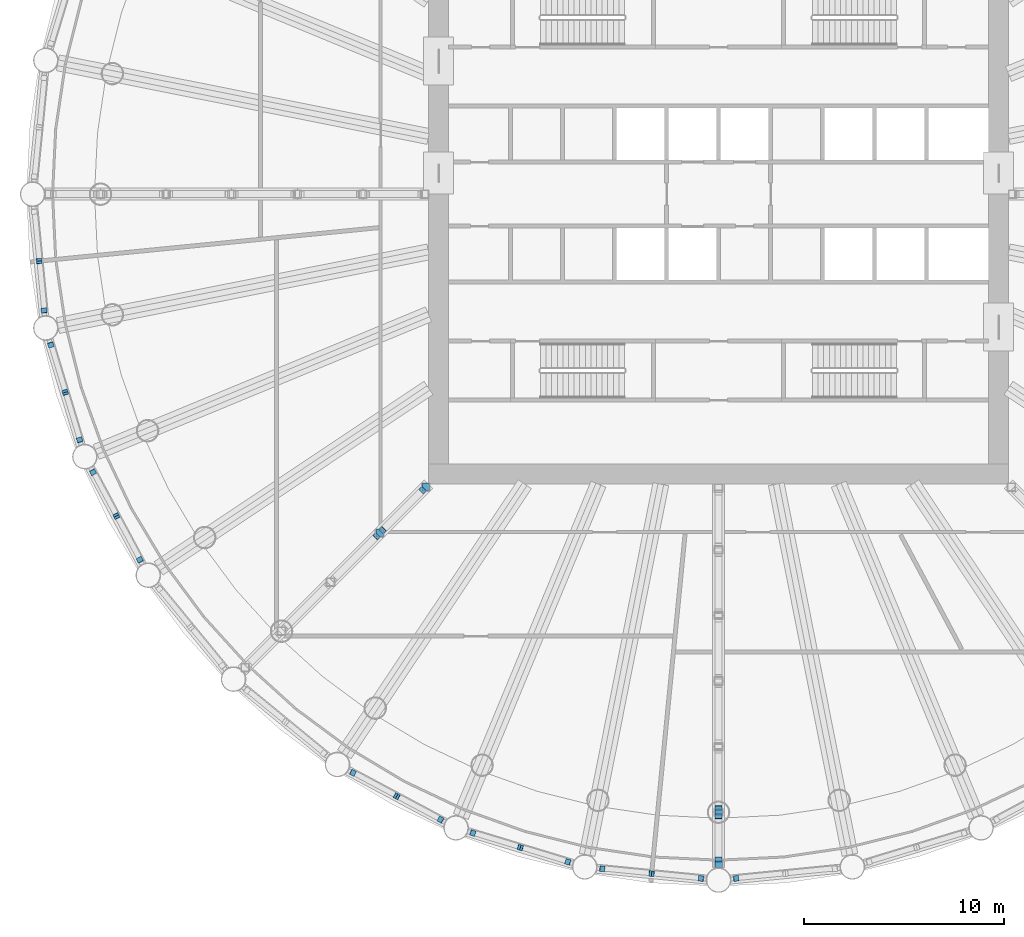
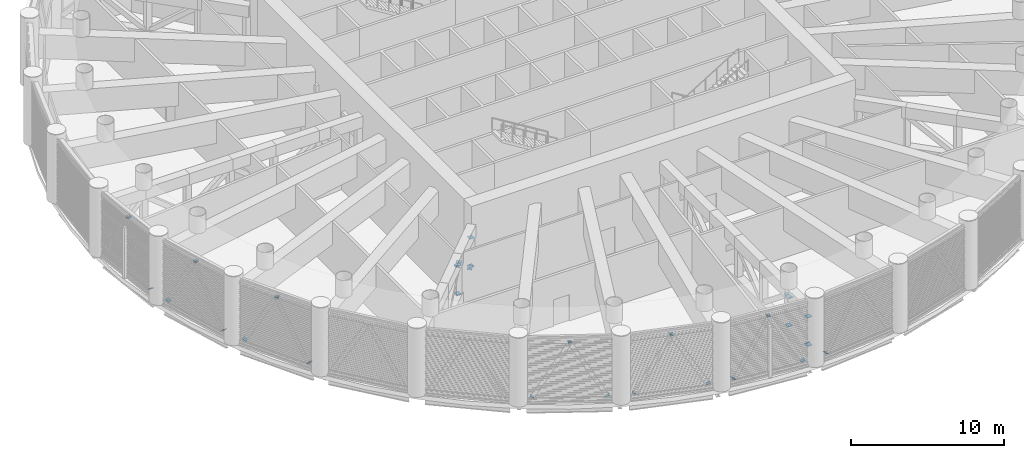
# One storey, part 16 of 29: 38 discrete accessories.
"""IFC4 building model written with IfcOpenShell, lengths in metres."""

from ifc_helpers import new_model, si_unit, direction, frame, origin, origin_2d, place, context, subcontext, project, spatial, rectangle, extrude, material, material_profile, profile_set, type_object, element, save


model = new_model("IFC4")

# Units and contexts
model_context = context("Model", 3, precision=1e-05, world=origin(), true_north=direction((0.0, 1.0)))
body_context = subcontext(model_context, "Body", "Model", "MODEL_VIEW")
ifc_project = project(units=[si_unit("LENGTHUNIT", "METRE"), si_unit("AREAUNIT", "SQUARE_METRE"), si_unit("VOLUMEUNIT", "CUBIC_METRE"), si_unit("PLANEANGLEUNIT", "RADIAN"), si_unit("MASSUNIT", "GRAM", prefix="KILO")], contexts=[model_context])

# Site, building, storey
site_placement = place(None, origin())
site = spatial("IfcSite", under=ifc_project, at=site_placement, CompositionType="ELEMENT")
building_placement = place(site_placement, origin())
building = spatial("IfcBuilding", under=site, at=building_placement, Name="Corvane Civic Tower", CompositionType="ELEMENT")
storey_placement = place(building_placement, frame((0.0, 0.0, 138.5)))
storey = spatial("IfcBuildingStorey", under=building, at=storey_placement, Name="L32", CompositionType="ELEMENT", Elevation=138.5)

# Discrete accessories
ifc_material_1 = material(Name="Steel ASTM A572 Gr 50", Category="steel")
ifc_material_profile_1 = material_profile(ifc_material_1, rectangle(XDim=0.2802734375, YDim=0.2802734375, at=origin_2d()), Name="GUSSET PLATE 25 IN HSS12X12X1/2")
ifc_profile_set_1 = profile_set([ifc_material_profile_1], Name="Steel ASTM A572 Gr 50")
discrete_accessory_type_1 = type_object("IfcDiscreteAccessoryType", Name="GUSSET PLATE 25 IN HSS12X12X1/2", PredefinedType="BRACKET", material=ifc_profile_set_1)
for number, where, z_axis, x_axis, name in (
    (1, (0.870849609375, -34.21435546875, 0.406494140625), (0.493407705348, 0.049340770535, 0.868397561412), (-0.099503719021, 0.99503719021, 0.0), "Gusset plate BD1 end A"),
    (2, (-0.870849609375, -34.21435546875, 0.406494140625), (-0.493407705348, 0.049340770535, 0.868397561412), (-0.099503719021, -0.99503719021, 0.0), "Gusset plate BD1 end A"),
):
    element("IfcDiscreteAccessory", number, at=place(storey_placement, frame(where, z_axis=z_axis, x_axis=x_axis)), inside=storey, type_object=discrete_accessory_type_1, Name=name, PredefinedType="BRACKET", context=body_context, shape_type="SweptSolid", body=[
        extrude(rectangle(XDim=0.2802734375, YDim=0.2802734375, at=origin_2d()), origin(), (0.0, 0.0, 1.0), 0.024658203125),
    ])
discrete_accessory_1_placement = place(storey_placement, frame((-3.345947265625, -33.970458984375, 4.74365234375), z_axis=(0.496598842672, -0.048686161046, -0.866613666624), x_axis=(0.097571424031, 0.99522852512, 0.0)))
element("IfcDiscreteAccessory", 3, at=discrete_accessory_1_placement, inside=storey, type_object=discrete_accessory_type_1, Name="Gusset plate BD1 end B", PredefinedType="BRACKET", context=body_context, shape_type="SweptSolid", body=[
    extrude(rectangle(XDim=0.2802734375, YDim=0.2802734375, at=origin_2d()), origin(), (0.0, 0.0, 1.0), 0.025146484375),
])
discrete_accessory_2_placement = place(storey_placement, frame((-5.82080078125, -33.7265625, 0.406494140625), z_axis=(0.493407705348, -0.049340770535, 0.868397561412), x_axis=(0.099503719021, 0.99503719021, 0.0)))
element("IfcDiscreteAccessory", 4, at=discrete_accessory_2_placement, inside=storey, type_object=discrete_accessory_type_1, Name="Gusset plate BD1 end A", PredefinedType="BRACKET", context=body_context, shape_type="SweptSolid", body=[
    extrude(rectangle(XDim=0.2802734375, YDim=0.2802734375, at=origin_2d()), origin(), (0.0, 0.0, 1.0), 0.024658203125),
])
discrete_accessory_3_placement = place(storey_placement, frame((-3.345947265625, -33.970458984375, 4.74365234375), z_axis=(-0.489209625642, 0.048920962564, -0.870793133643), x_axis=(-0.099503719021, -0.99503719021, 0.0)))
element("IfcDiscreteAccessory", 5, at=discrete_accessory_3_placement, inside=storey, type_object=discrete_accessory_type_1, Name="Gusset plate BD1 end B", PredefinedType="BRACKET", context=body_context, shape_type="SweptSolid", body=[
    extrude(rectangle(XDim=0.2802734375, YDim=0.2802734375, at=origin_2d()), origin(), (0.0, 0.0, 1.0), 0.02490234375),
])
discrete_accessory_4_placement = place(storey_placement, frame((-7.529052734375, -33.386962890625, 0.406494140625), z_axis=(-0.473579171394, 0.147993491061, 0.868228480888), x_axis=(-0.298274993136, -0.954479978035, 0.0)))
element("IfcDiscreteAccessory", 6, at=discrete_accessory_4_placement, inside=storey, type_object=discrete_accessory_type_1, Name="Gusset plate BD1 end A", PredefinedType="BRACKET", context=body_context, shape_type="SweptSolid", body=[
    extrude(rectangle(XDim=0.2802734375, YDim=0.2802734375, at=origin_2d()), origin(), (0.0, 0.0, 1.0), 0.024658203125),
])
discrete_accessory_5_placement = place(storey_placement, frame((-9.90869140625, -32.6650390625, 4.74365234375), z_axis=(0.470204238302, -0.137142902838, -0.871837025185), x_axis=(0.28, 0.96, 0.0)))
element("IfcDiscreteAccessory", 7, at=discrete_accessory_5_placement, inside=storey, type_object=discrete_accessory_type_1, Name="Gusset plate BD1 end B", PredefinedType="BRACKET", context=body_context, shape_type="SweptSolid", body=[
    extrude(rectangle(XDim=0.2802734375, YDim=0.2802734375, at=origin_2d()), origin(), (0.0, 0.0, 1.0), 0.02490234375),
])
discrete_accessory_6_placement = place(storey_placement, frame((-12.28857421875, -31.94287109375, 0.406494140625), z_axis=(0.473579171394, -0.147993491061, 0.868228480888), x_axis=(0.298274993136, 0.954479978035, 0.0)))
element("IfcDiscreteAccessory", 8, at=discrete_accessory_6_placement, inside=storey, type_object=discrete_accessory_type_1, Name="Gusset plate BD1 end A", PredefinedType="BRACKET", context=body_context, shape_type="SweptSolid", body=[
    extrude(rectangle(XDim=0.2802734375, YDim=0.2802734375, at=origin_2d()), origin(), (0.0, 0.0, 1.0), 0.024658203125),
])
discrete_accessory_7_placement = place(storey_placement, frame((-9.90869140625, -32.6650390625, 4.74365234375), z_axis=(-0.477124378254, 0.146058483139, -0.866613666624), x_axis=(-0.292714272094, -0.956199955507, 0.0)))
element("IfcDiscreteAccessory", 9, at=discrete_accessory_7_placement, inside=storey, type_object=discrete_accessory_type_1, Name="Gusset plate BD1 end B", PredefinedType="BRACKET", context=body_context, shape_type="SweptSolid", body=[
    extrude(rectangle(XDim=0.2802734375, YDim=0.2802734375, at=origin_2d()), origin(), (0.0, 0.0, 1.0), 0.025146484375),
])
discrete_accessory_8_placement = place(storey_placement, frame((-13.897705078125, -31.276611328125, 0.406494140625), z_axis=(-0.442432749188, 0.2359641329, 0.865201820635), x_axis=(-0.470588235294, -0.882352941176, 0.0)))
element("IfcDiscreteAccessory", 10, at=discrete_accessory_8_placement, inside=storey, type_object=discrete_accessory_type_1, Name="Gusset plate BD1 end A", PredefinedType="BRACKET", context=body_context, shape_type="SweptSolid", body=[
    extrude(rectangle(XDim=0.2802734375, YDim=0.2802734375, at=origin_2d()), origin(), (0.0, 0.0, 1.0), 0.02490234375),
])
discrete_accessory_9_placement = place(storey_placement, frame((-16.091064453125, -30.104248046875, 4.74365234375), z_axis=(0.438695687352, -0.233971033255, -0.867642581652), x_axis=(0.470588235294, 0.882352941176, 0.0)))
element("IfcDiscreteAccessory", 11, at=discrete_accessory_9_placement, inside=storey, type_object=discrete_accessory_type_1, Name="Gusset plate BD1 end B", PredefinedType="BRACKET", context=body_context, shape_type="SweptSolid", body=[
    extrude(rectangle(XDim=0.2802734375, YDim=0.2802734375, at=origin_2d()), origin(), (0.0, 0.0, 1.0), 0.025146484375),
])
discrete_accessory_10_placement = place(storey_placement, frame((-18.284423828125, -28.931640625, 0.406494140625), z_axis=(0.442432749188, -0.2359641329, 0.865201820635), x_axis=(0.470588235294, 0.882352941176, 0.0)))
element("IfcDiscreteAccessory", 12, at=discrete_accessory_10_placement, inside=storey, type_object=discrete_accessory_type_1, Name="Gusset plate BD1 end A", PredefinedType="BRACKET", context=body_context, shape_type="SweptSolid", body=[
    extrude(rectangle(XDim=0.2802734375, YDim=0.2802734375, at=origin_2d()), origin(), (0.0, 0.0, 1.0), 0.02490234375),
])
discrete_accessory_11_placement = place(storey_placement, frame((-16.091064453125, -30.104248046875, 4.74365234375), z_axis=(-0.438695687352, 0.233971033255, -0.867642581652), x_axis=(-0.470588235294, -0.882352941176, 0.0)))
element("IfcDiscreteAccessory", 13, at=discrete_accessory_11_placement, inside=storey, type_object=discrete_accessory_type_1, Name="Gusset plate BD1 end B", PredefinedType="BRACKET", context=body_context, shape_type="SweptSolid", body=[
    extrude(rectangle(XDim=0.2802734375, YDim=0.2802734375, at=origin_2d()), origin(), (0.0, 0.0, 1.0), 0.025146484375),
])
discrete_accessory_12_placement = place(storey_placement, frame((-28.931640625, -18.284423828125, 0.406494140625), z_axis=(-0.2359641329, 0.442432749188, 0.865201820635), x_axis=(-0.882352941176, -0.470588235294, 0.0)))
element("IfcDiscreteAccessory", 14, at=discrete_accessory_12_placement, inside=storey, type_object=discrete_accessory_type_1, Name="Gusset plate BD1 end A", PredefinedType="BRACKET", context=body_context, shape_type="SweptSolid", body=[
    extrude(rectangle(XDim=0.2802734375, YDim=0.2802734375, at=origin_2d()), origin(), (0.0, 0.0, 1.0), 0.02490234375),
])
discrete_accessory_13_placement = place(storey_placement, frame((-30.104248046875, -16.091064453125, 4.74365234375), z_axis=(0.233971033255, -0.438695687352, -0.867642581652), x_axis=(0.882352941176, 0.470588235294, 0.0)))
element("IfcDiscreteAccessory", 15, at=discrete_accessory_13_placement, inside=storey, type_object=discrete_accessory_type_1, Name="Gusset plate BD1 end B", PredefinedType="BRACKET", context=body_context, shape_type="SweptSolid", body=[
    extrude(rectangle(XDim=0.2802734375, YDim=0.2802734375, at=origin_2d()), origin(), (0.0, 0.0, 1.0), 0.025146484375),
])
discrete_accessory_14_placement = place(storey_placement, frame((-31.276611328125, -13.897705078125, 0.406494140625), z_axis=(0.2359641329, -0.442432749188, 0.865201820635), x_axis=(0.882352941176, 0.470588235294, 0.0)))
element("IfcDiscreteAccessory", 16, at=discrete_accessory_14_placement, inside=storey, type_object=discrete_accessory_type_1, Name="Gusset plate BD1 end A", PredefinedType="BRACKET", context=body_context, shape_type="SweptSolid", body=[
    extrude(rectangle(XDim=0.2802734375, YDim=0.2802734375, at=origin_2d()), origin(), (0.0, 0.0, 1.0), 0.02490234375),
])
discrete_accessory_15_placement = place(storey_placement, frame((-30.104248046875, -16.091064453125, 4.74365234375), z_axis=(-0.233971033255, 0.438695687352, -0.867642581652), x_axis=(-0.882352941176, -0.470588235294, 0.0)))
element("IfcDiscreteAccessory", 17, at=discrete_accessory_15_placement, inside=storey, type_object=discrete_accessory_type_1, Name="Gusset plate BD1 end B", PredefinedType="BRACKET", context=body_context, shape_type="SweptSolid", body=[
    extrude(rectangle(XDim=0.2802734375, YDim=0.2802734375, at=origin_2d()), origin(), (0.0, 0.0, 1.0), 0.025146484375),
])
discrete_accessory_16_placement = place(storey_placement, frame((-31.94287109375, -12.28857421875, 0.406494140625), z_axis=(-0.147993491061, 0.473579171394, 0.868228480888), x_axis=(-0.954479978035, -0.298274993136, 0.0)))
element("IfcDiscreteAccessory", 18, at=discrete_accessory_16_placement, inside=storey, type_object=discrete_accessory_type_1, Name="Gusset plate BD1 end A", PredefinedType="BRACKET", context=body_context, shape_type="SweptSolid", body=[
    extrude(rectangle(XDim=0.2802734375, YDim=0.2802734375, at=origin_2d()), origin(), (0.0, 0.0, 1.0), 0.024658203125),
])
discrete_accessory_17_placement = place(storey_placement, frame((-32.6650390625, -9.90869140625, 4.74365234375), z_axis=(0.146058483139, -0.477124378254, -0.866613666624), x_axis=(0.956199955507, 0.292714272094, 0.0)))
element("IfcDiscreteAccessory", 19, at=discrete_accessory_17_placement, inside=storey, type_object=discrete_accessory_type_1, Name="Gusset plate BD1 end B", PredefinedType="BRACKET", context=body_context, shape_type="SweptSolid", body=[
    extrude(rectangle(XDim=0.2802734375, YDim=0.2802734375, at=origin_2d()), origin(), (0.0, 0.0, 1.0), 0.025146484375),
])
discrete_accessory_18_placement = place(storey_placement, frame((-33.386962890625, -7.529052734375, 0.406494140625), z_axis=(0.147993491061, -0.473579171394, 0.868228480888), x_axis=(0.954479978035, 0.298274993136, 0.0)))
element("IfcDiscreteAccessory", 20, at=discrete_accessory_18_placement, inside=storey, type_object=discrete_accessory_type_1, Name="Gusset plate BD1 end A", PredefinedType="BRACKET", context=body_context, shape_type="SweptSolid", body=[
    extrude(rectangle(XDim=0.2802734375, YDim=0.2802734375, at=origin_2d()), origin(), (0.0, 0.0, 1.0), 0.024658203125),
])
discrete_accessory_19_placement = place(storey_placement, frame((-32.6650390625, -9.90869140625, 4.74365234375), z_axis=(-0.137142902838, 0.470204238302, -0.871837025185), x_axis=(-0.96, -0.28, 0.0)))
element("IfcDiscreteAccessory", 21, at=discrete_accessory_19_placement, inside=storey, type_object=discrete_accessory_type_1, Name="Gusset plate BD1 end B", PredefinedType="BRACKET", context=body_context, shape_type="SweptSolid", body=[
    extrude(rectangle(XDim=0.2802734375, YDim=0.2802734375, at=origin_2d()), origin(), (0.0, 0.0, 1.0), 0.02490234375),
])
discrete_accessory_20_placement = place(storey_placement, frame((-33.7265625, -5.82080078125, 0.406494140625), z_axis=(-0.049340770535, 0.493407705348, 0.868397561412), x_axis=(-0.99503719021, -0.099503719021, 0.0)))
element("IfcDiscreteAccessory", 22, at=discrete_accessory_20_placement, inside=storey, type_object=discrete_accessory_type_1, Name="Gusset plate BD1 end A", PredefinedType="BRACKET", context=body_context, shape_type="SweptSolid", body=[
    extrude(rectangle(XDim=0.2802734375, YDim=0.2802734375, at=origin_2d()), origin(), (0.0, 0.0, 1.0), 0.024658203125),
])
discrete_accessory_21_placement = place(storey_placement, frame((-33.970458984375, -3.345947265625, 4.74365234375), z_axis=(0.048920962564, -0.489209625642, -0.870793133643), x_axis=(0.99503719021, 0.099503719021, 0.0)))
element("IfcDiscreteAccessory", 23, at=discrete_accessory_21_placement, inside=storey, type_object=discrete_accessory_type_1, Name="Gusset plate BD1 end B", PredefinedType="BRACKET", context=body_context, shape_type="SweptSolid", body=[
    extrude(rectangle(XDim=0.2802734375, YDim=0.2802734375, at=origin_2d()), origin(), (0.0, 0.0, 1.0), 0.02490234375),
])
discrete_accessory_22_placement = place(storey_placement, frame((-33.970458984375, -3.345947265625, 4.74365234375), z_axis=(-0.048686161046, 0.496598842672, -0.866613666624), x_axis=(-0.99522852512, -0.097571424031, 0.0)))
element("IfcDiscreteAccessory", 24, at=discrete_accessory_22_placement, inside=storey, type_object=discrete_accessory_type_1, Name="Gusset plate BD1 end B", PredefinedType="BRACKET", context=body_context, shape_type="SweptSolid", body=[
    extrude(rectangle(XDim=0.2802734375, YDim=0.2802734375, at=origin_2d()), origin(), (0.0, 0.0, 1.0), 0.025146484375),
])
ifc_material_2 = material(Name="Steel ASTM A572 Gr 50", Category="steel")
ifc_material_profile_2 = material_profile(ifc_material_2, rectangle(XDim=0.3310546875, YDim=0.3310546875, at=origin_2d()), Name="GUSSET PLATE 25 IN HSS14X14X1/2")
ifc_profile_set_2 = profile_set([ifc_material_profile_2], Name="Steel ASTM A572 Gr 50")
discrete_accessory_type_2 = type_object("IfcDiscreteAccessoryType", Name="GUSSET PLATE 25 IN HSS14X14X1/2", PredefinedType="BRACKET", material=ifc_profile_set_2)
for number, where, z_axis, x_axis, name in (
    (25, (0.0, -30.69677734375, 3.199951171875), (0.0, 0.780868809443, -0.624695047554), (-1.0, 0.0, 0.0), "Gusset plate OD1 end B"),
    (26, (0.0, -31.103271484375, 3.199951171875), (0.0, -0.687199853876, -0.726468416955), (1.0, 0.0, 0.0), "Gusset plate OD1 end A"),
):
    element("IfcDiscreteAccessory", number, at=place(storey_placement, frame(where, z_axis=z_axis, x_axis=x_axis)), inside=storey, type_object=discrete_accessory_type_2, Name=name, PredefinedType="BRACKET", context=body_context, shape_type="SweptSolid", body=[
        extrude(rectangle(XDim=0.3310546875, YDim=0.3310546875, at=origin_2d()), origin(), (0.0, 0.0, 1.0), 0.02490234375),
    ])
discrete_accessory_23_placement = place(storey_placement, frame((0.0, -33.2685546875, 0.89990234375), z_axis=(0.0, 0.68231825036, 0.731055268243), x_axis=(-1.0, 0.0, 0.0)))
element("IfcDiscreteAccessory", 27, at=discrete_accessory_23_placement, inside=storey, type_object=discrete_accessory_type_2, Name="Gusset plate OD1 end B", PredefinedType="BRACKET", context=body_context, shape_type="SweptSolid", body=[
    extrude(rectangle(XDim=0.3310546875, YDim=0.3310546875, at=origin_2d()), origin(), (0.0, 0.0, 1.0), 0.025146484375),
])
for number, where, z_axis, x_axis, name in (
    (28, (-14.787353515625, -14.787353515625, 0.89990234375), (-0.546582129591, -0.546582129591, 0.634425686132), (0.707106781187, -0.707106781187, 0.0), "Gusset plate OD1 end A"),
    (29, (-16.80615234375, -16.80615234375, 3.199951171875), (0.549971940923, 0.549971940923, -0.628539361055), (-0.707106781187, 0.707106781187, 0.0), "Gusset plate OD1 end B"),
    (30, (-17.093505859375, -17.093505859375, 3.199951171875), (-0.567401695188, -0.567401695188, -0.596750058732), (0.707106781187, -0.707106781187, 0.0), "Gusset plate OD1 end A"),
):
    element("IfcDiscreteAccessory", number, at=place(storey_placement, frame(where, z_axis=z_axis, x_axis=x_axis)), inside=storey, type_object=discrete_accessory_type_2, Name=name, PredefinedType="BRACKET", context=body_context, shape_type="SweptSolid", body=[
        extrude(rectangle(XDim=0.3310546875, YDim=0.3310546875, at=origin_2d()), origin(), (0.0, 0.0, 1.0), 0.02490234375),
    ])
ifc_material_3 = material(Name="Steel ASTM A572 Gr 50", Category="steel")
ifc_material_profile_3 = material_profile(ifc_material_3, rectangle(XDim=0.3759765625, YDim=0.3759765625, at=origin_2d()), Name="GUSSET PLATE 25 IN HSS16X16X5/8")
ifc_profile_set_3 = profile_set([ifc_material_profile_3], Name="Steel ASTM A572 Gr 50")
discrete_accessory_type_3 = type_object("IfcDiscreteAccessoryType", Name="GUSSET PLATE 25 IN HSS16X16X5/8", PredefinedType="BRACKET", material=ifc_profile_set_3)
discrete_accessory_24_placement = place(storey_placement, frame((0.0, -30.89990234375, 0.89990234375), z_axis=(0.0, 0.0, 1.0), x_axis=(1.0, 0.0, 0.0)))
element("IfcDiscreteAccessory", 31, at=discrete_accessory_24_placement, inside=storey, type_object=discrete_accessory_type_3, Name="Gusset plate OP1 end A", PredefinedType="BRACKET", context=body_context, shape_type="SweptSolid", body=[
    extrude(rectangle(XDim=0.3759765625, YDim=0.3759765625, at=origin_2d()), origin(), (0.0, 0.0, 1.0), 0.025146484375),
])
discrete_accessory_25_placement = place(storey_placement, frame((0.0, -30.89990234375, 3.199951171875), z_axis=(0.0, 0.0, -1.0), x_axis=(1.0, 0.0, 0.0)))
element("IfcDiscreteAccessory", 32, at=discrete_accessory_25_placement, inside=storey, type_object=discrete_accessory_type_3, Name="Gusset plate OP1 end B", PredefinedType="BRACKET", context=body_context, shape_type="SweptSolid", body=[
    extrude(rectangle(XDim=0.3759765625, YDim=0.3759765625, at=origin_2d()), origin(), (0.0, 0.0, 1.0), 0.02490234375),
])
discrete_accessory_26_placement = place(storey_placement, frame((0.0, -33.4716796875, 0.89990234375), z_axis=(0.0, 0.0, 1.0), x_axis=(1.0, 0.0, 0.0)))
element("IfcDiscreteAccessory", 33, at=discrete_accessory_26_placement, inside=storey, type_object=discrete_accessory_type_3, Name="Gusset plate OP1 end A", PredefinedType="BRACKET", context=body_context, shape_type="SweptSolid", body=[
    extrude(rectangle(XDim=0.3759765625, YDim=0.3759765625, at=origin_2d()), origin(), (0.0, 0.0, 1.0), 0.025146484375),
])
discrete_accessory_27_placement = place(storey_placement, frame((0.0, -33.4716796875, 3.199951171875), z_axis=(0.0, 0.0, -1.0), x_axis=(1.0, 0.0, 0.0)))
element("IfcDiscreteAccessory", 34, at=discrete_accessory_27_placement, inside=storey, type_object=discrete_accessory_type_3, Name="Gusset plate OP1 end B", PredefinedType="BRACKET", context=body_context, shape_type="SweptSolid", body=[
    extrude(rectangle(XDim=0.3759765625, YDim=0.3759765625, at=origin_2d()), origin(), (0.0, 0.0, 1.0), 0.02490234375),
])
discrete_accessory_28_placement = place(storey_placement, frame((-14.643798828125, -14.643798828125, 0.89990234375), z_axis=(0.0, 0.0, 1.0), x_axis=(1.0, 0.0, 0.0)))
element("IfcDiscreteAccessory", 35, at=discrete_accessory_28_placement, inside=storey, type_object=discrete_accessory_type_3, Name="Gusset plate OP1 end A", PredefinedType="BRACKET", context=body_context, shape_type="SweptSolid", body=[
    extrude(rectangle(XDim=0.3759765625, YDim=0.3759765625, at=origin_2d()), origin(), (0.0, 0.0, 1.0), 0.025146484375),
])
discrete_accessory_29_placement = place(storey_placement, frame((-14.643798828125, -14.643798828125, 3.199951171875), z_axis=(0.0, 0.0, -1.0), x_axis=(1.0, 0.0, 0.0)))
element("IfcDiscreteAccessory", 36, at=discrete_accessory_29_placement, inside=storey, type_object=discrete_accessory_type_3, Name="Gusset plate OP1 end B", PredefinedType="BRACKET", context=body_context, shape_type="SweptSolid", body=[
    extrude(rectangle(XDim=0.3759765625, YDim=0.3759765625, at=origin_2d()), origin(), (0.0, 0.0, 1.0), 0.02490234375),
])
discrete_accessory_30_placement = place(storey_placement, frame((-16.949951171875, -16.949951171875, 0.89990234375), z_axis=(0.0, 0.0, 1.0), x_axis=(1.0, 0.0, 0.0)))
element("IfcDiscreteAccessory", 37, at=discrete_accessory_30_placement, inside=storey, type_object=discrete_accessory_type_3, Name="Gusset plate OP1 end A", PredefinedType="BRACKET", context=body_context, shape_type="SweptSolid", body=[
    extrude(rectangle(XDim=0.3759765625, YDim=0.3759765625, at=origin_2d()), origin(), (0.0, 0.0, 1.0), 0.025146484375),
])
discrete_accessory_31_placement = place(storey_placement, frame((-16.949951171875, -16.949951171875, 3.199951171875), z_axis=(0.0, 0.0, -1.0), x_axis=(1.0, 0.0, 0.0)))
element("IfcDiscreteAccessory", 38, at=discrete_accessory_31_placement, inside=storey, type_object=discrete_accessory_type_3, Name="Gusset plate OP1 end B", PredefinedType="BRACKET", context=body_context, shape_type="SweptSolid", body=[
    extrude(rectangle(XDim=0.3759765625, YDim=0.3759765625, at=origin_2d()), origin(), (0.0, 0.0, 1.0), 0.02490234375),
])

save(model, "model.ifc")
